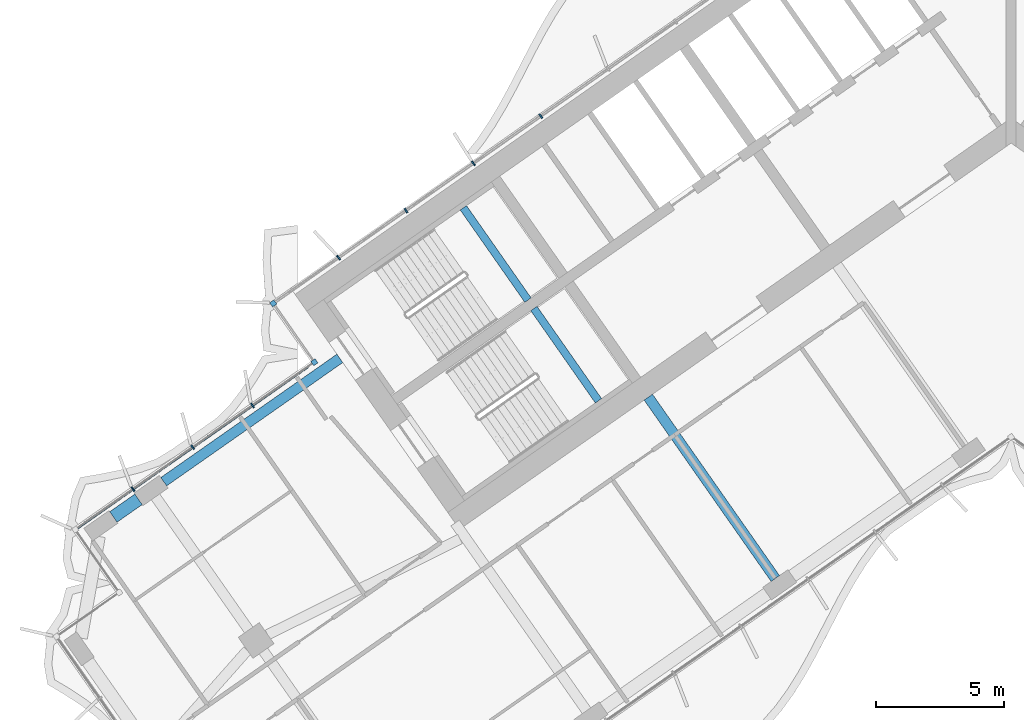
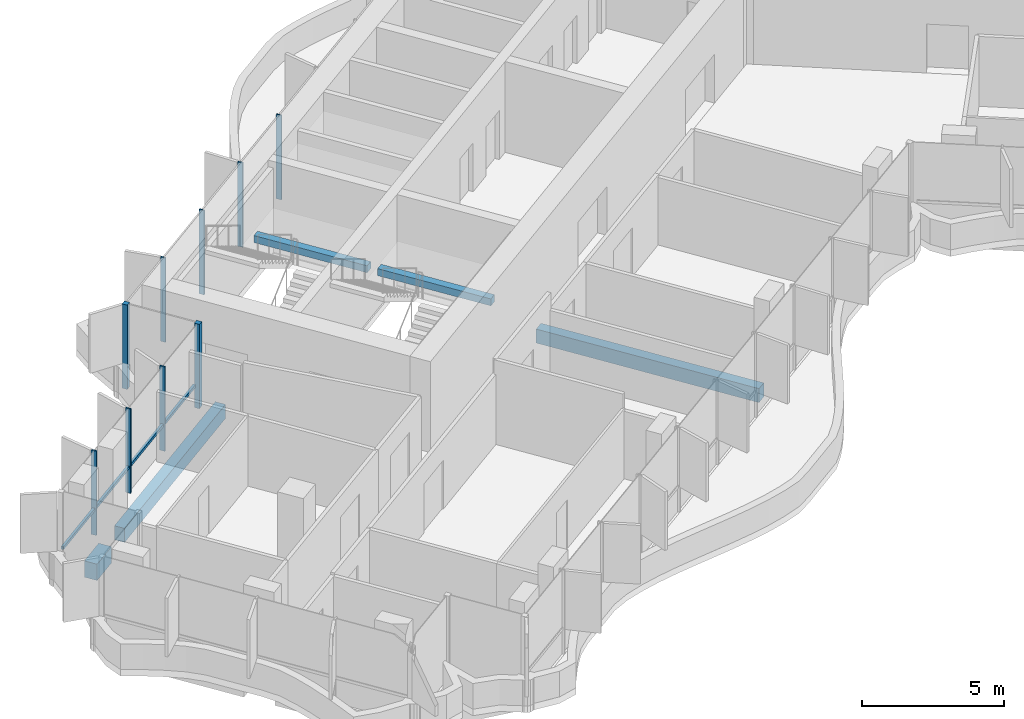
# One storey, part 4 of 23: 10 members, 5 beams, 2 elements without a shape of their own.
"""IFC4 building model written with IfcOpenShell, lengths in metres."""

from ifc_helpers import new_model, si_unit, direction, frame, origin, origin_2d, place, context, subcontext, project, spatial, rectangle, extrude, material, material_profile, profile_set, type_object, element, aggregate, save


model = new_model("IFC4")

# Units and contexts
model_context = context("Model", 3, precision=1e-05, world=origin(), true_north=direction((0.0, 1.0)))
body_context = subcontext(model_context, "Body", "Model", "MODEL_VIEW")
ifc_project = project(units=[si_unit("LENGTHUNIT", "METRE"), si_unit("AREAUNIT", "SQUARE_METRE"), si_unit("VOLUMEUNIT", "CUBIC_METRE"), si_unit("PLANEANGLEUNIT", "RADIAN"), si_unit("MASSUNIT", "GRAM", prefix="KILO")], contexts=[model_context])

# Site, building, storey
site_placement = place(None, origin())
site = spatial("IfcSite", under=ifc_project, at=site_placement, CompositionType="ELEMENT")
building_placement = place(site_placement, origin())
building = spatial("IfcBuilding", under=site, at=building_placement, Name="Tel Ilan Convention Tower", CompositionType="ELEMENT")
storey_placement = place(building_placement, frame((0.0, 0.0, 182.699951171875)))
storey = spatial("IfcBuildingStorey", under=building, at=storey_placement, Name="L42", CompositionType="ELEMENT", Elevation=182.699951171875)

# Beams
ifc_material_1 = material(Name="Concrete C40/50", Category="concrete")
ifc_material_profile_1 = material_profile(ifc_material_1, rectangle(XDim=0.39990234375, YDim=0.60009765625, at=origin_2d()), Name="RC 400x600")
ifc_profile_set_1 = profile_set([ifc_material_profile_1], Name="Concrete C40/50")
beam_type_1 = type_object("IfcBeamType", Name="Beam RC 400x600 Concrete C40/50", PredefinedType="BEAM", material=ifc_profile_set_1)
beam_1_placement = place(storey_placement, frame((-33.09912109375, -14.44775390625, -0.579833984375), z_axis=(0.819147254605, 0.573583276668, 0.0), x_axis=(-0.573583276668, 0.819147254605, 0.0)))
element("IfcBeam", 1, at=beam_1_placement, inside=storey, type_object=beam_type_1, Name="L42 beam W-W-B4-core", PredefinedType="BEAM", context=body_context, shape_type="SweptSolid", body=[
    extrude(rectangle(XDim=0.39990234375, YDim=0.60009765625, at=origin_2d()), origin(), (0.0, 0.0, 1.0), 8.400146484375),
])
beam_2_placement = place(storey_placement, frame((-9.209716796875, -18.229248046875, -0.579833984375), z_axis=(-0.573574099654, 0.819153680457, 0.0), x_axis=(-0.819153680457, -0.573574099654, 0.0)))
element("IfcBeam", 2, at=beam_2_placement, inside=storey, type_object=beam_type_1, Name="L42 beam W-W-F2-core", PredefinedType="BEAM", context=body_context, shape_type="SweptSolid", body=[
    extrude(rectangle(XDim=0.39990234375, YDim=0.60009765625, at=origin_2d()), origin(), (0.0, 0.0, 1.0), 8.64990234375),
])
ifc_material_2 = material(Name="Concrete C40/50", Category="concrete")
ifc_material_profile_2 = material_profile(ifc_material_2, rectangle(XDim=0.5, YDim=0.699951171875, at=origin_2d()), Name="RC 500x700")
ifc_profile_set_2 = profile_set([ifc_material_profile_2], Name="Concrete C40/50")
beam_type_2 = type_object("IfcBeamType", Name="Beam RC 500x700 Concrete C40/50", PredefinedType="BEAM", material=ifc_profile_set_2)
beam_3_placement = place(storey_placement, frame((-35.06494140625, -15.82421875, -0.6298828125), z_axis=(0.819155442668, 0.573571582932, 0.0), x_axis=(-0.573571582932, 0.819155442668, 0.0)))
element("IfcBeam", 3, at=beam_3_placement, inside=storey, type_object=beam_type_2, Name="L42 beam W-W-BC-W-B4", PredefinedType="BEAM", context=body_context, shape_type="SweptSolid", body=[
    extrude(rectangle(XDim=0.5, YDim=0.699951171875, at=origin_2d()), origin(), (0.0, 0.0, 1.0), 1.199951171875),
])

# Curtain wall, members
ifc_material_3 = material(Name="Aluminium, bronze anodised", Category="aluminium")
curtain_wall_type_1 = type_object("IfcCurtainWallType", Name="CW2 STICK CURTAIN WALL, SPANDREL PANELS", PredefinedType="NOTDEFINED", material=ifc_material_3)
curtain_wall_1_placement = place(storey_placement, origin())
curtain_wall_1 = element("IfcCurtainWall", 4, at=curtain_wall_1_placement, inside=storey, type_object=curtain_wall_type_1, Name="Curtain wall CW2-32.01", PredefinedType="NOTDEFINED")
ifc_material_4 = material(Name="Aluminium, bronze anodised", Category="aluminium")
ifc_material_profile_3 = material_profile(ifc_material_4, rectangle(XDim=0.199951171875, YDim=0.199951171875, at=origin_2d()), Name="CW CORNER MULLION 200x200")
ifc_profile_set_3 = profile_set([ifc_material_profile_3], Name="Aluminium, bronze anodised")
member_type_1 = type_object("IfcMemberType", Name="CW CORNER MULLION 200x200", PredefinedType="MULLION", material=ifc_profile_set_3)
member_1_placement = place(storey_placement, frame((-28.819580078125, -7.483642578125, 0.0), z_axis=(0.0, 0.0, 1.0), x_axis=(-0.819152044289, -0.573576436351, 0.0)))
member_1 = element("IfcMember", 5, at=member_1_placement, type_object=member_type_1, Name="Corner mullion", PredefinedType="MULLION", context=body_context, shape_type="SweptSolid", body=[
    extrude(rectangle(XDim=0.199951171875, YDim=0.199951171875, at=origin_2d()), origin(), (0.0, 0.0, 1.0), 3.6201171875),
])
member_2_placement = place(storey_placement, frame((-27.213623046875, -9.77734375, 0.0), z_axis=(0.0, 0.0, 1.0), x_axis=(0.573576436351, -0.819152044289, 0.0)))
member_2 = element("IfcMember", 6, at=member_2_placement, type_object=member_type_1, Name="Corner mullion", PredefinedType="MULLION", context=body_context, shape_type="SweptSolid", body=[
    extrude(rectangle(XDim=0.199951171875, YDim=0.199951171875, at=origin_2d()), origin(), (0.0, 0.0, 1.0), 3.6201171875),
])
ifc_material_5 = material(Name="Aluminium, bronze anodised", Category="aluminium")
ifc_material_profile_4 = material_profile(ifc_material_5, rectangle(XDim=0.06005859375, YDim=0.199951171875, at=origin_2d()), Name="CW MULLION 60x200")
ifc_profile_set_4 = profile_set([ifc_material_profile_4], Name="Aluminium, bronze anodised")
member_type_2 = type_object("IfcMemberType", Name="CW MULLION 60x200", PredefinedType="MULLION", material=ifc_profile_set_4)
member_3_placement = place(storey_placement, frame((-18.37109375, -0.16748046875, 0.0), z_axis=(0.0, 0.0, 1.0), x_axis=(-0.819152044289, -0.573576436351, 0.0)))
member_3 = element("IfcMember", 7, at=member_3_placement, type_object=member_type_2, Name="Mullion", PredefinedType="MULLION", context=body_context, shape_type="SweptSolid", body=[
    extrude(rectangle(XDim=0.06005859375, YDim=0.199951171875, at=origin_2d()), origin(), (0.0, 0.0, 1.0), 3.6201171875),
])
member_4_placement = place(storey_placement, frame((-21.003662109375, -2.0107421875, 0.0), z_axis=(0.0, 0.0, 1.0), x_axis=(-0.819152044289, -0.573576436351, 0.0)))
member_4 = element("IfcMember", 8, at=member_4_placement, type_object=member_type_2, Name="Mullion", PredefinedType="MULLION", context=body_context, shape_type="SweptSolid", body=[
    extrude(rectangle(XDim=0.06005859375, YDim=0.199951171875, at=origin_2d()), origin(), (0.0, 0.0, 1.0), 3.6201171875),
])
member_5_placement = place(storey_placement, frame((-23.63623046875, -3.854248046875, 0.0), z_axis=(0.0, 0.0, 1.0), x_axis=(-0.819152044289, -0.573576436351, 0.0)))
member_5 = element("IfcMember", 9, at=member_5_placement, type_object=member_type_2, Name="Mullion", PredefinedType="MULLION", context=body_context, shape_type="SweptSolid", body=[
    extrude(rectangle(XDim=0.06005859375, YDim=0.199951171875, at=origin_2d()), origin(), (0.0, 0.0, 1.0), 3.6201171875),
])
member_6_placement = place(storey_placement, frame((-26.268798828125, -5.697509765625, 0.0), z_axis=(0.0, 0.0, 1.0), x_axis=(-0.819152044289, -0.573576436351, 0.0)))
member_6 = element("IfcMember", 10, at=member_6_placement, type_object=member_type_2, Name="Mullion", PredefinedType="MULLION", context=body_context, shape_type="SweptSolid", body=[
    extrude(rectangle(XDim=0.06005859375, YDim=0.199951171875, at=origin_2d()), origin(), (0.0, 0.0, 1.0), 3.6201171875),
])
aggregate(curtain_wall_1, [member_3, member_4, member_5, member_6, member_1, member_2])

ifc_material_6 = material(Name="Aluminium, bronze anodised", Category="aluminium")
curtain_wall_type_2 = type_object("IfcCurtainWallType", Name="CW4 STICK CURTAIN WALL, OFFICE TINTED GLASS", PredefinedType="NOTDEFINED", material=ifc_material_6)
curtain_wall_2_placement = place(storey_placement, origin())
curtain_wall_2 = element("IfcCurtainWall", 11, at=curtain_wall_2_placement, inside=storey, type_object=curtain_wall_type_2, Name="Curtain wall CW4-32.02", PredefinedType="NOTDEFINED")
member_7_placement = place(storey_placement, frame((-29.630126953125, -11.46923828125, 0.0), z_axis=(0.0, 0.0, 1.0), x_axis=(-0.819152044289, -0.573576436351, 0.0)))
member_7 = element("IfcMember", 12, at=member_7_placement, type_object=member_type_2, Name="Mullion", PredefinedType="MULLION", context=body_context, shape_type="SweptSolid", body=[
    extrude(rectangle(XDim=0.06005859375, YDim=0.199951171875, at=origin_2d()), origin(), (0.0, 0.0, 1.0), 3.6201171875),
])
member_8_placement = place(storey_placement, frame((-31.964599609375, -13.10400390625, 0.0), z_axis=(0.0, 0.0, 1.0), x_axis=(-0.819152044289, -0.573576436351, 0.0)))
member_8 = element("IfcMember", 13, at=member_8_placement, type_object=member_type_2, Name="Mullion", PredefinedType="MULLION", context=body_context, shape_type="SweptSolid", body=[
    extrude(rectangle(XDim=0.06005859375, YDim=0.199951171875, at=origin_2d()), origin(), (0.0, 0.0, 1.0), 3.6201171875),
])
member_9_placement = place(storey_placement, frame((-34.299072265625, -14.73876953125, 0.0), z_axis=(0.0, 0.0, 1.0), x_axis=(-0.819152044289, -0.573576436351, 0.0)))
member_9 = element("IfcMember", 14, at=member_9_placement, type_object=member_type_2, Name="Mullion", PredefinedType="MULLION", context=body_context, shape_type="SweptSolid", body=[
    extrude(rectangle(XDim=0.06005859375, YDim=0.199951171875, at=origin_2d()), origin(), (0.0, 0.0, 1.0), 3.6201171875),
])
ifc_material_7 = material(Name="Aluminium, bronze anodised", Category="aluminium")
ifc_material_profile_5 = material_profile(ifc_material_7, rectangle(XDim=0.10009765625, YDim=0.1201171875, at=origin_2d()), Name="CW TRANSOM 100x120")
ifc_profile_set_5 = profile_set([ifc_material_profile_5], Name="Aluminium, bronze anodised")
member_type_3 = type_object("IfcMemberType", Name="CW TRANSOM 100x120", PredefinedType="USERDEFINED", material=ifc_profile_set_5)
member_10_placement = place(storey_placement, frame((-27.459228515625, -9.94921875, 1.10009765625), z_axis=(-0.819154753687, -0.57357256691, 0.0), x_axis=(0.57357256691, -0.819154753687, 0.0)))
member_10 = element("IfcMember", 15, at=member_10_placement, type_object=member_type_3, Name="Transom", ObjectType="TRANSOM", PredefinedType="USERDEFINED", context=body_context, shape_type="SweptSolid", body=[
    extrude(rectangle(XDim=0.10009765625, YDim=0.1201171875, at=origin_2d()), origin(), (0.0, 0.0, 1.0), 11.0),
])
aggregate(curtain_wall_2, [member_7, member_8, member_9, member_10])

# Beams
ifc_material_8 = material(Name="Concrete C40/50", Category="concrete")
ifc_material_profile_6 = material_profile(ifc_material_8, rectangle(XDim=0.300048828125, YDim=0.300048828125, at=origin_2d()), Name="RC 300x300")
ifc_profile_set_6 = profile_set([ifc_material_profile_6], Name="Concrete C40/50")
beam_type_3 = type_object("IfcBeamType", Name="Landing Beam RC 300x300 Concrete C40/50", PredefinedType="BEAM", material=ifc_profile_set_6)
beam_4_placement = place(storey_placement, frame((-18.870361328125, -7.353515625, 1.60009765625), z_axis=(-0.57354426506, 0.819174569928, 0.0), x_axis=(-0.819174569928, -0.57354426506, 0.0)))
element("IfcBeam", 16, at=beam_4_placement, inside=storey, type_object=beam_type_3, Name="S1 landing beam L42.1", PredefinedType="BEAM", context=body_context, shape_type="SweptSolid", body=[
    extrude(rectangle(XDim=0.300048828125, YDim=0.300048828125, at=origin_2d()), origin(), (0.0, 0.0, 1.0), 4.400146484375),
])
beam_5_placement = place(storey_placement, frame((-16.1171875, -11.285400390625, 1.60009765625), z_axis=(-0.573570334442, 0.819156316858, 0.0), x_axis=(-0.819156316858, -0.573570334442, 0.0)))
element("IfcBeam", 17, at=beam_5_placement, inside=storey, type_object=beam_type_3, Name="S2 landing beam L42.1", PredefinedType="BEAM", context=body_context, shape_type="SweptSolid", body=[
    extrude(rectangle(XDim=0.300048828125, YDim=0.300048828125, at=origin_2d()), origin(), (0.0, 0.0, 1.0), 4.39990234375),
])

save(model, "model.ifc")
